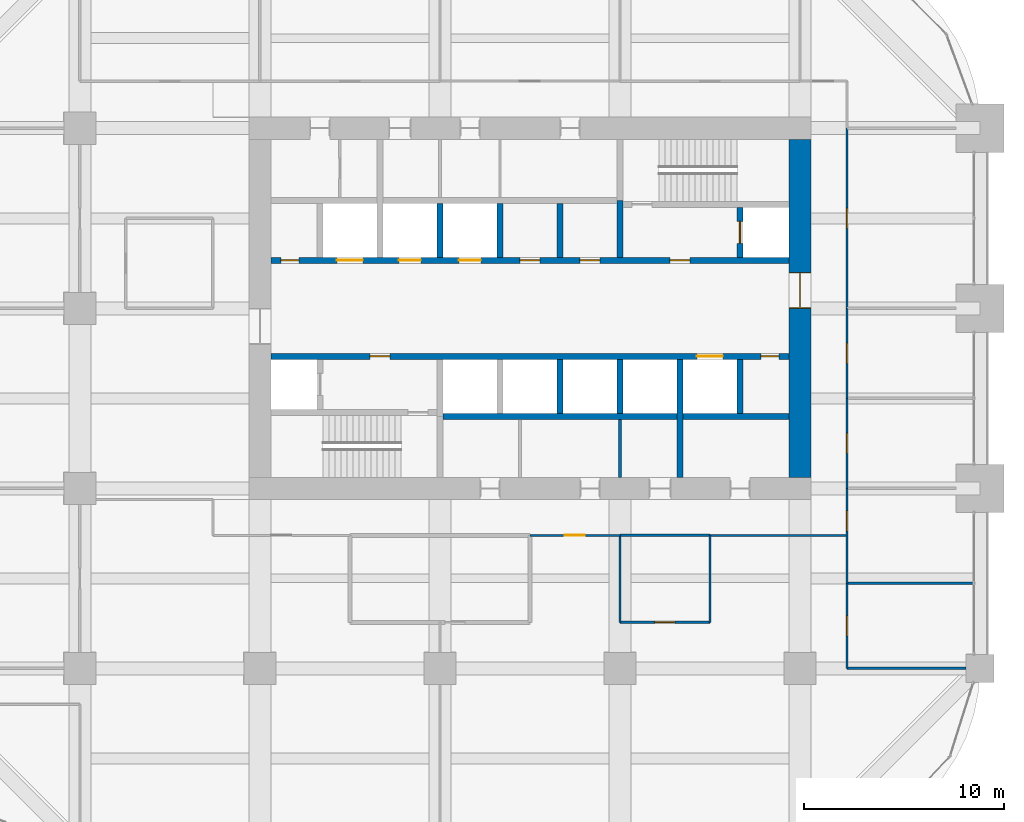
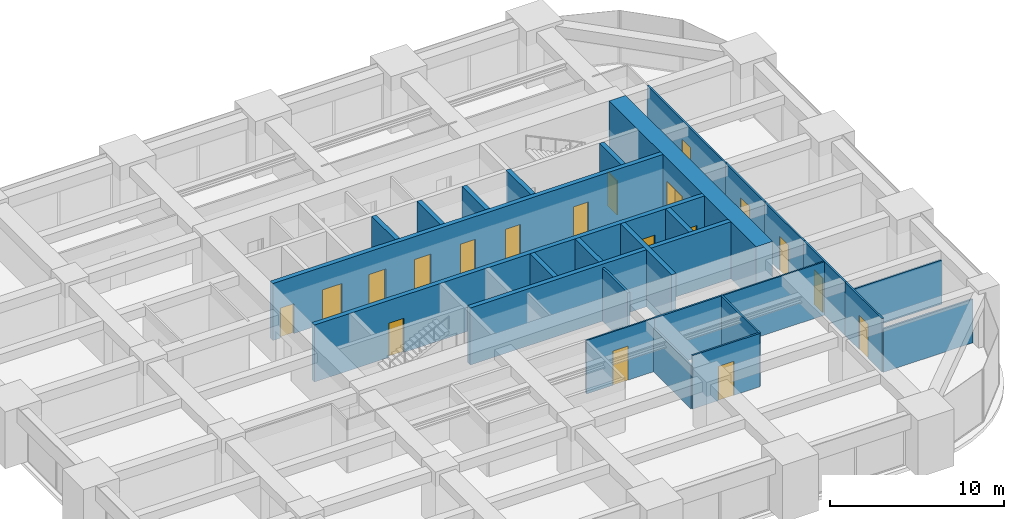
# One storey, part 30 of 32: 27 walls, 19 doors, 19 openings.
"""IFC4 building model written with IfcOpenShell, lengths in metres."""

from ifc_helpers import new_model, si_unit, direction, frame, frame_2d, origin, place, context, subcontext, project, spatial, rectangle, extrude, material, layer, layer_set, type_object, element, fill, save


model = new_model("IFC4")

# Units and contexts
model_context = context("Model", 3, precision=1e-05, world=origin(), true_north=direction((0.0, 1.0)))
body_context = subcontext(model_context, "Body", "Model", "MODEL_VIEW")
ifc_project = project(units=[si_unit("LENGTHUNIT", "METRE"), si_unit("AREAUNIT", "SQUARE_METRE"), si_unit("VOLUMEUNIT", "CUBIC_METRE"), si_unit("PLANEANGLEUNIT", "RADIAN"), si_unit("MASSUNIT", "GRAM", prefix="KILO")], contexts=[model_context])

# Site, building, storey
site_placement = place(None, origin())
site = spatial("IfcSite", under=ifc_project, at=site_placement, CompositionType="ELEMENT")
building_placement = place(site_placement, origin())
building = spatial("IfcBuilding", under=site, at=building_placement, Name="Zorevar Civic Tower", CompositionType="ELEMENT")
storey_placement = place(building_placement, frame((0.0, 0.0, 190.199951171875)))
storey = spatial("IfcBuildingStorey", under=building, at=storey_placement, Name="L46", CompositionType="ELEMENT", Elevation=190.199951171875)

# Wall, opening, door
ifc_material_1 = material(Name="Concrete C50/60", Category="concrete")
ifc_layer_1 = layer(ifc_material_1, 1.10009765625)
ifc_layer_set_1 = layer_set([ifc_layer_1], Name="Core wall 1100")
wall_type_1 = type_object("IfcWallType", Name="Core wall 1100", PredefinedType="SHEAR", material=ifc_layer_set_1)
wall_1_placement = place(storey_placement, frame((45.0, 18.550048828125, 0.0), z_axis=(0.0, 0.0, 1.0), x_axis=(0.0, 1.0, 0.0)))
wall_1 = element("IfcWall", 1, at=wall_1_placement, inside=storey, type_object=wall_type_1, Name="Core wall E L46", PredefinedType="SHEAR", context=body_context, shape_type="SweptSolid", body=[
    extrude(rectangle(XDim=16.89990234375, YDim=1.10009765625, at=frame_2d((8.449951171875, 0.0))), origin(), (0.0, 0.0, 1.0), 4.0),
])
opening_1_placement = place(wall_1_placement, frame((8.449951171875, 0.0, 0.0)))
opening_1 = element("IfcOpeningElement", 2, at=opening_1_placement, cuts=wall_1, Name="Opening L46.02", PredefinedType="OPENING", context=body_context, shape_type="SweptSolid", body=[
    extrude(rectangle(XDim=1.800048828125, YDim=2.39990234375, at=frame_2d((0.89990234375, 1.199951171875))), frame((0.0, 0.56005859375, 0.0), z_axis=(0.0, -1.0, 0.0), x_axis=(1.0, 0.0, 0.0)), (0.0, 0.0, 1.0), 1.1201171875),
])
ifc_material_2 = material(Name="Steel door set", Category="steel")
door_type_1 = type_object("IfcDoorType", Name="Fire door FD2 1800x2400", OperationType="DOUBLE_DOOR_DOUBLE_SWING", PredefinedType="DOOR", material=ifc_material_2)
door_1_placement = place(opening_1_placement, origin())
door_1 = element("IfcDoor", 3, at=door_1_placement, inside=storey, type_object=door_type_1, Name="Door L46 01", OperationType="DOUBLE_DOOR_DOUBLE_SWING", OverallHeight=2.39990234375, OverallWidth=1.800048828125, PredefinedType="DOOR", context=body_context, shape_type="SweptSolid", body=[
    extrude(rectangle(XDim=1.800048828125, YDim=2.39990234375, at=frame_2d((0.89990234375, 1.199951171875))), frame((0.0, 0.030029296875, 0.0), z_axis=(0.0, -1.0, 0.0), x_axis=(1.0, 0.0, 0.0)), (0.0, 0.0, 1.0), 0.06005859375),
    extrude(rectangle(XDim=0.04, YDim=2.39990234375, at=frame_2d((0.02001953125, 1.199951171875))), frame((0.0, 0.5498046875, 0.0), z_axis=(0.0, -1.0, 0.0), x_axis=(1.0, 0.0, 0.0)), (0.0, 0.0, 1.0), 1.099609375),
    extrude(rectangle(XDim=0.04, YDim=2.39990234375, at=frame_2d((1.780029296875, 1.199951171875))), frame((0.0, 0.5498046875, 0.0), z_axis=(0.0, -1.0, 0.0), x_axis=(1.0, 0.0, 0.0)), (0.0, 0.0, 1.0), 1.099609375),
    extrude(rectangle(XDim=1.800048828125, YDim=0.04, at=frame_2d((0.89990234375, 2.3798828125))), frame((0.0, 0.5498046875, 0.0), z_axis=(0.0, -1.0, 0.0), x_axis=(1.0, 0.0, 0.0)), (0.0, 0.0, 1.0), 1.099609375),
])
fill(opening_1, door_1)

ifc_material_3 = material(Name="Laminated glass in black aluminium frame", Category="aluminium")
ifc_layer_2 = layer(ifc_material_3, 0.10009765625)
ifc_layer_set_2 = layer_set([ifc_layer_2], Name="Glazed partition 100")
wall_type_2 = type_object("IfcWallType", Name="Glazed partition 100", PredefinedType="PARTITIONING", material=ifc_layer_set_2)
wall_2_placement = place(storey_placement, frame((31.5, 15.64990234375, 0.0), z_axis=(0.0, 0.0, 1.0), x_axis=(1.0, 0.0, 0.0)))
wall_2 = element("IfcWall", 4, at=wall_2_placement, inside=storey, type_object=wall_type_2, Name="Glazed partition 100 L46", PredefinedType="PARTITIONING", context=body_context, shape_type="SweptSolid", body=[
    extrude(rectangle(XDim=4.5, YDim=0.10009765625, at=frame_2d((2.25, 0.0))), origin(), (0.0, 0.0, 1.0), 3.75),
])
opening_2_placement = place(wall_2_placement, frame((1.75, 0.0, 0.0)))
opening_2 = element("IfcOpeningElement", 5, at=opening_2_placement, cuts=wall_2, Name="Opening L46.21", PredefinedType="OPENING", context=body_context, shape_type="SweptSolid", body=[
    extrude(rectangle(XDim=1.0, YDim=2.39990234375, at=frame_2d((0.5, 1.199951171875))), frame((0.0, 0.06005859375, 0.0), z_axis=(0.0, -1.0, 0.0), x_axis=(1.0, 0.0, 0.0)), (0.0, 0.0, 1.0), 0.1201171875),
])
ifc_material_4 = material(Name="Timber door set", Category="wood")
door_type_2 = type_object("IfcDoorType", Name="Glazed door GD1 1000x2400", OperationType="SINGLE_SWING_LEFT", PredefinedType="DOOR", material=ifc_material_4)
door_2_placement = place(opening_2_placement, origin())
door_2 = element("IfcDoor", 6, at=door_2_placement, inside=storey, type_object=door_type_2, Name="Door L46 D1", OperationType="SINGLE_SWING_RIGHT", OverallHeight=2.39990234375, OverallWidth=1.0, PredefinedType="DOOR", context=body_context, shape_type="SweptSolid", body=[
    extrude(rectangle(XDim=1.0, YDim=2.39990234375, at=frame_2d((0.5, 1.199951171875))), frame((0.0, 0.02001953125, 0.0), z_axis=(0.0, -1.0, 0.0), x_axis=(1.0, 0.0, 0.0)), (0.0, 0.0, 1.0), 0.0400390625),
])
fill(opening_2, door_2)

# Wall
wall_3_placement = place(storey_placement, frame((40.5, 15.64990234375, 0.0), z_axis=(0.0, 0.0, 1.0), x_axis=(1.0, 0.0, 0.0)))
element("IfcWall", 7, at=wall_3_placement, inside=storey, type_object=wall_type_2, Name="Glazed partition 100 L46", PredefinedType="PARTITIONING", context=body_context, shape_type="SweptSolid", body=[
    extrude(rectangle(XDim=6.85009765625, YDim=0.10009765625, at=frame_2d((3.425048828125, 0.0))), origin(), (0.0, 0.0, 1.0), 3.75),
])

# Wall, opening, door
ifc_material_5 = material(Name="Concrete C40/50", Category="concrete")
ifc_layer_3 = layer(ifc_material_5, 0.300048828125)
ifc_layer_set_3 = layer_set([ifc_layer_3], Name="Inner core wall 300")
wall_type_3 = type_object("IfcWallType", Name="Inner core wall 300", PredefinedType="SHEAR", material=ifc_layer_set_3)
wall_4_placement = place(storey_placement, frame((42.0, 29.550048828125, 0.0), z_axis=(0.0, 0.0, 1.0), x_axis=(0.0, 1.0, 0.0)))
wall_4 = element("IfcWall", 8, at=wall_4_placement, inside=storey, type_object=wall_type_3, Name="Inner core wall N02 L46", PredefinedType="SHEAR", context=body_context, shape_type="SweptSolid", body=[
    extrude(rectangle(XDim=2.5, YDim=0.300048828125, at=frame_2d((1.25, 0.0))), origin(), (0.0, 0.0, 1.0), 4.0),
])
opening_3_placement = place(wall_4_placement, frame((0.699951171875, 0.0, 0.0)))
opening_3 = element("IfcOpeningElement", 9, at=opening_3_placement, cuts=wall_4, Name="Opening L46.FL2", PredefinedType="OPENING", context=body_context, shape_type="SweptSolid", body=[
    extrude(rectangle(XDim=1.10009765625, YDim=2.39990234375, at=frame_2d((0.550048828125, 1.199951171875))), frame((0.0, 0.159912109375, 0.0), z_axis=(0.0, -1.0, 0.0), x_axis=(1.0, 0.0, 0.0)), (0.0, 0.0, 1.0), 0.320068359375),
])
ifc_material_6 = material(Name="Steel door set", Category="steel")
door_type_3 = type_object("IfcDoorType", Name="Firefighting lift landing door LD3 1100x2400", OperationType="DOUBLE_DOOR_SLIDING", PredefinedType="DOOR", material=ifc_material_6)
door_3_placement = place(opening_3_placement, origin())
door_3 = element("IfcDoor", 10, at=door_3_placement, inside=storey, type_object=door_type_3, Name="Landing door FL2 L46", OperationType="DOUBLE_DOOR_SLIDING", OverallHeight=2.39990234375, OverallWidth=1.10009765625, PredefinedType="DOOR", context=body_context, shape_type="SweptSolid", body=[
    extrude(rectangle(XDim=1.10009765625, YDim=2.39990234375, at=frame_2d((0.550048828125, 1.199951171875))), frame((0.0, 0.030029296875, 0.0), z_axis=(0.0, -1.0, 0.0), x_axis=(1.0, 0.0, 0.0)), (0.0, 0.0, 1.0), 0.06005859375),
])
fill(opening_3, door_3)

# Wall, openings, doors
wall_5_placement = place(storey_placement, frame((18.550048828125, 24.60009765625, 0.0), z_axis=(0.0, 0.0, 1.0), x_axis=(1.0, 0.0, 0.0)))
wall_5 = element("IfcWall", 11, at=wall_5_placement, inside=storey, type_object=wall_type_3, Name="Inner core wall S03 L46", PredefinedType="SHEAR", context=body_context, shape_type="SweptSolid", body=[
    extrude(rectangle(XDim=25.89990234375, YDim=0.300048828125, at=frame_2d((12.949951171875, 0.0))), origin(), (0.0, 0.0, 1.0), 4.0),
])
opening_4_placement = place(wall_5_placement, frame((4.949951171875, 0.0, 0.0)))
opening_4 = element("IfcOpeningElement", 12, at=opening_4_placement, cuts=wall_5, Name="Opening L46.13", PredefinedType="OPENING", context=body_context, shape_type="SweptSolid", body=[
    extrude(rectangle(XDim=1.0, YDim=2.39990234375, at=frame_2d((0.5, 1.199951171875))), frame((0.0, 0.159912109375, 0.0), z_axis=(0.0, -1.0, 0.0), x_axis=(1.0, 0.0, 0.0)), (0.0, 0.0, 1.0), 0.320068359375),
])
opening_5_placement = place(wall_5_placement, frame((24.5, 0.0, 0.0)))
opening_5 = element("IfcOpeningElement", 13, at=opening_5_placement, cuts=wall_5, Name="Opening L46.15", PredefinedType="OPENING", context=body_context, shape_type="SweptSolid", body=[
    extrude(rectangle(XDim=0.89990234375, YDim=2.10009765625, at=frame_2d((0.449951171875, 1.050048828125))), frame((0.0, 0.159912109375, 0.0), z_axis=(0.0, -1.0, 0.0), x_axis=(1.0, 0.0, 0.0)), (0.0, 0.0, 1.0), 0.320068359375),
])
opening_6_placement = place(wall_5_placement, frame((21.300048828125, 0.0, 0.0)))
opening_6 = element("IfcOpeningElement", 14, at=opening_6_placement, cuts=wall_5, Name="Opening L46.SL1", PredefinedType="OPENING", context=body_context, shape_type="SweptSolid", body=[
    extrude(rectangle(XDim=1.300048828125, YDim=2.39990234375, at=frame_2d((0.64990234375, 1.199951171875))), frame((0.0, 0.159912109375, 0.0), z_axis=(0.0, -1.0, 0.0), x_axis=(1.0, 0.0, 0.0)), (0.0, 0.0, 1.0), 0.320068359375),
])
ifc_material_7 = material(Name="Steel door set", Category="steel")
door_type_4 = type_object("IfcDoorType", Name="Fire door FD1 1000x2400", OperationType="SINGLE_SWING_LEFT", PredefinedType="DOOR", material=ifc_material_7)
door_4_placement = place(opening_4_placement, origin())
door_4 = element("IfcDoor", 15, at=door_4_placement, inside=storey, type_object=door_type_4, Name="Door L46 12", OperationType="SINGLE_SWING_RIGHT", OverallHeight=2.39990234375, OverallWidth=1.0, PredefinedType="DOOR", context=body_context, shape_type="SweptSolid", body=[
    extrude(rectangle(XDim=1.0, YDim=2.39990234375, at=frame_2d((0.5, 1.199951171875))), frame((0.0, 0.030029296875, 0.0), z_axis=(0.0, -1.0, 0.0), x_axis=(1.0, 0.0, 0.0)), (0.0, 0.0, 1.0), 0.06005859375),
])
fill(opening_4, door_4)
ifc_material_8 = material(Name="Steel door set", Category="steel")
door_type_5 = type_object("IfcDoorType", Name="Landing door LD2 1300x2400", OperationType="DOUBLE_DOOR_SLIDING", PredefinedType="DOOR", material=ifc_material_8)
door_5_placement = place(opening_6_placement, origin())
door_5 = element("IfcDoor", 16, at=door_5_placement, inside=storey, type_object=door_type_5, Name="Landing door SL1 L46", OperationType="DOUBLE_DOOR_SLIDING", OverallHeight=2.39990234375, OverallWidth=1.300048828125, PredefinedType="DOOR", context=body_context, shape_type="SweptSolid", body=[
    extrude(rectangle(XDim=1.300048828125, YDim=2.39990234375, at=frame_2d((0.64990234375, 1.199951171875))), frame((0.0, 0.02001953125, 0.0), z_axis=(0.0, -1.0, 0.0), x_axis=(1.0, 0.0, 0.0)), (0.0, 0.0, 1.0), 0.0400390625),
])
fill(opening_6, door_5)
ifc_material_9 = material(Name="Steel door set", Category="steel")
door_type_6 = type_object("IfcDoorType", Name="Riser door RD1 900x2100", OperationType="SINGLE_SWING_LEFT", PredefinedType="DOOR", material=ifc_material_9)
door_6_placement = place(opening_5_placement, origin())
door_6 = element("IfcDoor", 17, at=door_6_placement, inside=storey, type_object=door_type_6, Name="Door L46 14", OperationType="SINGLE_SWING_RIGHT", OverallHeight=2.10009765625, OverallWidth=0.89990234375, PredefinedType="DOOR", context=body_context, shape_type="SweptSolid", body=[
    extrude(rectangle(XDim=0.89990234375, YDim=2.10009765625, at=frame_2d((0.449951171875, 1.050048828125))), frame((0.0, 0.030029296875, 0.0), z_axis=(0.0, -1.0, 0.0), x_axis=(1.0, 0.0, 0.0)), (0.0, 0.0, 1.0), 0.06005859375),
])
fill(opening_5, door_6)

wall_6_placement = place(storey_placement, frame((18.550048828125, 29.39990234375, 0.0), z_axis=(0.0, 0.0, 1.0), x_axis=(1.0, 0.0, 0.0)))
wall_6 = element("IfcWall", 18, at=wall_6_placement, inside=storey, type_object=wall_type_3, Name="Inner core wall N03 L46", PredefinedType="SHEAR", context=body_context, shape_type="SweptSolid", body=[
    extrude(rectangle(XDim=25.89990234375, YDim=0.300048828125, at=frame_2d((12.949951171875, 0.0))), origin(), (0.0, 0.0, 1.0), 4.0),
])
opening_7_placement = place(wall_6_placement, frame((19.949951171875, 0.0, 0.0)))
opening_7 = element("IfcOpeningElement", 19, at=opening_7_placement, cuts=wall_6, Name="Opening L46.14", PredefinedType="OPENING", context=body_context, shape_type="SweptSolid", body=[
    extrude(rectangle(XDim=1.0, YDim=2.39990234375, at=frame_2d((0.5, 1.199951171875))), frame((0.0, 0.159912109375, 0.0), z_axis=(0.0, -1.0, 0.0), x_axis=(1.0, 0.0, 0.0)), (0.0, 0.0, 1.0), 0.320068359375),
])
opening_8_placement = place(wall_6_placement, frame((0.5, 0.0, 0.0)))
opening_8 = element("IfcOpeningElement", 20, at=opening_8_placement, cuts=wall_6, Name="Opening L46.16", PredefinedType="OPENING", context=body_context, shape_type="SweptSolid", body=[
    extrude(rectangle(XDim=0.89990234375, YDim=2.10009765625, at=frame_2d((0.449951171875, 1.050048828125))), frame((0.0, 0.159912109375, 0.0), z_axis=(0.0, -1.0, 0.0), x_axis=(1.0, 0.0, 0.0)), (0.0, 0.0, 1.0), 0.320068359375),
])
opening_9_placement = place(wall_6_placement, frame((15.449951171875, 0.0, 0.0)))
opening_9 = element("IfcOpeningElement", 21, at=opening_9_placement, cuts=wall_6, Name="Opening L46.36", PredefinedType="OPENING", context=body_context, shape_type="SweptSolid", body=[
    extrude(rectangle(XDim=1.0, YDim=2.39990234375, at=frame_2d((0.5, 1.199951171875))), frame((0.0, 0.159912109375, 0.0), z_axis=(0.0, -1.0, 0.0), x_axis=(1.0, 0.0, 0.0)), (0.0, 0.0, 1.0), 0.320068359375),
])
opening_10_placement = place(wall_6_placement, frame((12.449951171875, 0.0, 0.0)))
opening_10 = element("IfcOpeningElement", 22, at=opening_10_placement, cuts=wall_6, Name="Opening L46.37", PredefinedType="OPENING", context=body_context, shape_type="SweptSolid", body=[
    extrude(rectangle(XDim=1.0, YDim=2.39990234375, at=frame_2d((0.5, 1.199951171875))), frame((0.0, 0.159912109375, 0.0), z_axis=(0.0, -1.0, 0.0), x_axis=(1.0, 0.0, 0.0)), (0.0, 0.0, 1.0), 0.320068359375),
])
opening_11_placement = place(wall_6_placement, frame((9.39990234375, 0.0, 0.0)))
opening_11 = element("IfcOpeningElement", 23, at=opening_11_placement, cuts=wall_6, Name="Opening L46.LH1", PredefinedType="OPENING", context=body_context, shape_type="SweptSolid", body=[
    extrude(rectangle(XDim=1.10009765625, YDim=2.39990234375, at=frame_2d((0.550048828125, 1.199951171875))), frame((0.0, 0.159912109375, 0.0), z_axis=(0.0, -1.0, 0.0), x_axis=(1.0, 0.0, 0.0)), (0.0, 0.0, 1.0), 0.320068359375),
])
opening_12_placement = place(wall_6_placement, frame((6.39990234375, 0.0, 0.0)))
opening_12 = element("IfcOpeningElement", 24, at=opening_12_placement, cuts=wall_6, Name="Opening L46.LH2", PredefinedType="OPENING", context=body_context, shape_type="SweptSolid", body=[
    extrude(rectangle(XDim=1.10009765625, YDim=2.39990234375, at=frame_2d((0.550048828125, 1.199951171875))), frame((0.0, 0.159912109375, 0.0), z_axis=(0.0, -1.0, 0.0), x_axis=(1.0, 0.0, 0.0)), (0.0, 0.0, 1.0), 0.320068359375),
])
opening_13_placement = place(wall_6_placement, frame((3.300048828125, 0.0, 0.0)))
opening_13 = element("IfcOpeningElement", 25, at=opening_13_placement, cuts=wall_6, Name="Opening L46.SL2", PredefinedType="OPENING", context=body_context, shape_type="SweptSolid", body=[
    extrude(rectangle(XDim=1.300048828125, YDim=2.39990234375, at=frame_2d((0.64990234375, 1.199951171875))), frame((0.0, 0.159912109375, 0.0), z_axis=(0.0, -1.0, 0.0), x_axis=(1.0, 0.0, 0.0)), (0.0, 0.0, 1.0), 0.320068359375),
])
door_7_placement = place(opening_7_placement, origin())
door_7 = element("IfcDoor", 26, at=door_7_placement, inside=storey, type_object=door_type_4, Name="Door L46 13", OperationType="SINGLE_SWING_RIGHT", OverallHeight=2.39990234375, OverallWidth=1.0, PredefinedType="DOOR", context=body_context, shape_type="SweptSolid", body=[
    extrude(rectangle(XDim=1.0, YDim=2.39990234375, at=frame_2d((0.5, 1.199951171875))), frame((0.0, 0.030029296875, 0.0), z_axis=(0.0, -1.0, 0.0), x_axis=(1.0, 0.0, 0.0)), (0.0, 0.0, 1.0), 0.06005859375),
])
fill(opening_7, door_7)
door_8_placement = place(opening_9_placement, origin())
door_8 = element("IfcDoor", 27, at=door_8_placement, inside=storey, type_object=door_type_4, Name="Door L46 LM1 shaft room", OperationType="SINGLE_SWING_LEFT", OverallHeight=2.39990234375, OverallWidth=1.0, PredefinedType="DOOR", context=body_context, shape_type="SweptSolid", body=[
    extrude(rectangle(XDim=1.0, YDim=2.39990234375, at=frame_2d((0.5, 1.199951171875))), frame((0.0, 0.030029296875, 0.0), z_axis=(0.0, -1.0, 0.0), x_axis=(1.0, 0.0, 0.0)), (0.0, 0.0, 1.0), 0.06005859375),
])
fill(opening_9, door_8)
door_9_placement = place(opening_10_placement, origin())
door_9 = element("IfcDoor", 28, at=door_9_placement, inside=storey, type_object=door_type_4, Name="Door L46 LM2 shaft room", OperationType="SINGLE_SWING_LEFT", OverallHeight=2.39990234375, OverallWidth=1.0, PredefinedType="DOOR", context=body_context, shape_type="SweptSolid", body=[
    extrude(rectangle(XDim=1.0, YDim=2.39990234375, at=frame_2d((0.5, 1.199951171875))), frame((0.0, 0.030029296875, 0.0), z_axis=(0.0, -1.0, 0.0), x_axis=(1.0, 0.0, 0.0)), (0.0, 0.0, 1.0), 0.06005859375),
])
fill(opening_10, door_9)
ifc_material_10 = material(Name="Steel door set", Category="steel")
door_type_7 = type_object("IfcDoorType", Name="Landing door LD1 1100x2400", OperationType="DOUBLE_DOOR_SLIDING", PredefinedType="DOOR", material=ifc_material_10)
door_10_placement = place(opening_11_placement, origin())
door_10 = element("IfcDoor", 29, at=door_10_placement, inside=storey, type_object=door_type_7, Name="Landing door LH1 L46", OperationType="DOUBLE_DOOR_SLIDING", OverallHeight=2.39990234375, OverallWidth=1.10009765625, PredefinedType="DOOR", context=body_context, shape_type="SweptSolid", body=[
    extrude(rectangle(XDim=1.10009765625, YDim=2.39990234375, at=frame_2d((0.550048828125, 1.199951171875))), frame((0.0, 0.02001953125, 0.0), z_axis=(0.0, -1.0, 0.0), x_axis=(1.0, 0.0, 0.0)), (0.0, 0.0, 1.0), 0.0400390625),
])
fill(opening_11, door_10)
door_11_placement = place(opening_12_placement, origin())
door_11 = element("IfcDoor", 30, at=door_11_placement, inside=storey, type_object=door_type_7, Name="Landing door LH2 L46", OperationType="DOUBLE_DOOR_SLIDING", OverallHeight=2.39990234375, OverallWidth=1.10009765625, PredefinedType="DOOR", context=body_context, shape_type="SweptSolid", body=[
    extrude(rectangle(XDim=1.10009765625, YDim=2.39990234375, at=frame_2d((0.550048828125, 1.199951171875))), frame((0.0, 0.02001953125, 0.0), z_axis=(0.0, -1.0, 0.0), x_axis=(1.0, 0.0, 0.0)), (0.0, 0.0, 1.0), 0.0400390625),
])
fill(opening_12, door_11)
door_12_placement = place(opening_13_placement, origin())
door_12 = element("IfcDoor", 31, at=door_12_placement, inside=storey, type_object=door_type_5, Name="Landing door SL2 L46", OperationType="DOUBLE_DOOR_SLIDING", OverallHeight=2.39990234375, OverallWidth=1.300048828125, PredefinedType="DOOR", context=body_context, shape_type="SweptSolid", body=[
    extrude(rectangle(XDim=1.300048828125, YDim=2.39990234375, at=frame_2d((0.64990234375, 1.199951171875))), frame((0.0, 0.02001953125, 0.0), z_axis=(0.0, -1.0, 0.0), x_axis=(1.0, 0.0, 0.0)), (0.0, 0.0, 1.0), 0.0400390625),
])
fill(opening_13, door_12)
door_13_placement = place(opening_8_placement, origin())
door_13 = element("IfcDoor", 32, at=door_13_placement, inside=storey, type_object=door_type_6, Name="Door L46 15", OperationType="SINGLE_SWING_RIGHT", OverallHeight=2.10009765625, OverallWidth=0.89990234375, PredefinedType="DOOR", context=body_context, shape_type="SweptSolid", body=[
    extrude(rectangle(XDim=0.89990234375, YDim=2.10009765625, at=frame_2d((0.449951171875, 1.050048828125))), frame((0.0, 0.030029296875, 0.0), z_axis=(0.0, -1.0, 0.0), x_axis=(1.0, 0.0, 0.0)), (0.0, 0.0, 1.0), 0.06005859375),
])
fill(opening_8, door_13)

# Walls
wall_7_placement = place(storey_placement, frame((27.14990234375, 21.60009765625, 0.0), z_axis=(0.0, 0.0, 1.0), x_axis=(1.0, 0.0, 0.0)))
element("IfcWall", 33, at=wall_7_placement, inside=storey, type_object=wall_type_3, Name="Inner core wall S04 L46", PredefinedType="SHEAR", context=body_context, shape_type="SweptSolid", body=[
    extrude(rectangle(XDim=17.300048828125, YDim=0.300048828125, at=frame_2d((8.64990234375, 0.0))), origin(), (0.0, 0.0, 1.0), 4.0),
])
for number, where, z_axis, x_axis, name in (
    (34, (33.0, 29.550048828125, 0.0), (0.0, 0.0, 1.0), (0.0, 1.0, 0.0), "Inner core wall N05 L46"),
    (35, (33.0, 21.75, 0.0), (0.0, 0.0, 1.0), (0.0, 1.0, 0.0), "Inner core wall S06 L46"),
    (36, (30.0, 29.550048828125, 0.0), (0.0, 0.0, 1.0), (0.0, 1.0, 0.0), "Inner core wall N06 L46"),
    (37, (36.0, 21.75, 0.0), (0.0, 0.0, 1.0), (0.0, 1.0, 0.0), "Inner core wall S07 L46"),
    (38, (27.0, 29.550048828125, 0.0), (0.0, 0.0, 1.0), (0.0, 1.0, 0.0), "Inner core wall N07 L46"),
):
    element("IfcWall", number, at=place(storey_placement, frame(where, z_axis=z_axis, x_axis=x_axis)), inside=storey, type_object=wall_type_3, Name=name, PredefinedType="SHEAR", context=body_context, shape_type="SweptSolid", body=[
        extrude(rectangle(XDim=2.699951171875, YDim=0.300048828125, at=frame_2d((1.35009765625, 0.0))), origin(), (0.0, 0.0, 1.0), 4.0),
    ])
wall_8_placement = place(storey_placement, frame((39.0, 18.550048828125, 0.0), z_axis=(0.0, 0.0, 1.0), x_axis=(0.0, 1.0, 0.0)))
element("IfcWall", 39, at=wall_8_placement, inside=storey, type_object=wall_type_3, Name="Inner core wall S08 L46", PredefinedType="SHEAR", context=body_context, shape_type="SweptSolid", body=[
    extrude(rectangle(XDim=5.89990234375, YDim=0.300048828125, at=frame_2d((2.949951171875, 0.0))), origin(), (0.0, 0.0, 1.0), 4.0),
])
wall_9_placement = place(storey_placement, frame((42.0, 21.75, 0.0), z_axis=(0.0, 0.0, 1.0), x_axis=(0.0, 1.0, 0.0)))
element("IfcWall", 40, at=wall_9_placement, inside=storey, type_object=wall_type_3, Name="Inner core wall S09 L46", PredefinedType="SHEAR", context=body_context, shape_type="SweptSolid", body=[
    extrude(rectangle(XDim=2.699951171875, YDim=0.300048828125, at=frame_2d((1.35009765625, 0.0))), origin(), (0.0, 0.0, 1.0), 4.0),
])
wall_10_placement = place(storey_placement, frame((36.0, 29.550048828125, 0.0), z_axis=(0.0, 0.0, 1.0), x_axis=(0.0, 1.0, 0.0)))
element("IfcWall", 41, at=wall_10_placement, inside=storey, type_object=wall_type_3, Name="Inner core wall N10 L46", PredefinedType="SHEAR", context=body_context, shape_type="SweptSolid", body=[
    extrude(rectangle(XDim=2.849853515625, YDim=0.300048828125, at=frame_2d((1.4248046875, 0.0))), origin(), (0.0, 0.0, 1.0), 4.0),
])
ifc_material_11 = material(Name="Gypsum board on steel studs", Category="steel")
ifc_layer_4 = layer(ifc_material_11, 0.1201171875)
ifc_layer_set_4 = layer_set([ifc_layer_4], Name="Partition 120")
wall_type_4 = type_object("IfcWallType", Name="Partition 120", PredefinedType="PARTITIONING", material=ifc_layer_set_4)
wall_11_placement = place(storey_placement, frame((47.35009765625, 9.0, 0.0), z_axis=(0.0, 0.0, 1.0), x_axis=(1.0, 0.0, 0.0)))
element("IfcWall", 42, at=wall_11_placement, inside=storey, type_object=wall_type_4, Name="Partition 120 L46", PredefinedType="PARTITIONING", context=body_context, shape_type="SweptSolid", body=[
    extrude(rectangle(XDim=5.949951171875, YDim=0.1201171875, at=frame_2d((2.97509765625, 0.0))), origin(), (0.0, 0.0, 1.0), 3.050048828125),
])

# Wall, opening, door
wall_12_placement = place(storey_placement, frame((36.0, 11.300048828125, 0.0), z_axis=(0.0, 0.0, 1.0), x_axis=(1.0, 0.0, 0.0)))
wall_12 = element("IfcWall", 43, at=wall_12_placement, inside=storey, type_object=wall_type_4, Name="Partition 120 L46", PredefinedType="PARTITIONING", context=body_context, shape_type="SweptSolid", body=[
    extrude(rectangle(XDim=4.5, YDim=0.1201171875, at=frame_2d((2.25, 0.0))), origin(), (0.0, 0.0, 1.0), 3.75),
])
opening_14_placement = place(wall_12_placement, frame((1.75, 0.0, 0.0)))
opening_14 = element("IfcOpeningElement", 44, at=opening_14_placement, cuts=wall_12, Name="Opening L46.19", PredefinedType="OPENING", context=body_context, shape_type="SweptSolid", body=[
    extrude(rectangle(XDim=1.0, YDim=2.39990234375, at=frame_2d((0.5, 1.199951171875))), frame((0.0, 0.070068359375, 0.0), z_axis=(0.0, -1.0, 0.0), x_axis=(1.0, 0.0, 0.0)), (0.0, 0.0, 1.0), 0.14013671875),
])
ifc_material_12 = material(Name="Timber door set", Category="wood")
door_type_8 = type_object("IfcDoorType", Name="Door D1 1000x2400", OperationType="SINGLE_SWING_LEFT", PredefinedType="DOOR", material=ifc_material_12)
door_14_placement = place(opening_14_placement, origin())
door_14 = element("IfcDoor", 45, at=door_14_placement, inside=storey, type_object=door_type_8, Name="Door L46 D1", OperationType="SINGLE_SWING_RIGHT", OverallHeight=2.39990234375, OverallWidth=1.0, PredefinedType="DOOR", context=body_context, shape_type="SweptSolid", body=[
    extrude(rectangle(XDim=1.0, YDim=2.39990234375, at=frame_2d((0.5, 1.199951171875))), frame((0.0, 0.02490234375, 0.0), z_axis=(0.0, -1.0, 0.0), x_axis=(1.0, 0.0, 0.0)), (0.0, 0.0, 1.0), 0.050048828125),
])
fill(opening_14, door_14)

# Walls
wall_13_placement = place(storey_placement, frame((47.35009765625, 13.25, 0.0), z_axis=(0.0, 0.0, 1.0), x_axis=(1.0, 0.0, 0.0)))
element("IfcWall", 46, at=wall_13_placement, inside=storey, type_object=wall_type_4, Name="Partition 120 L46", PredefinedType="PARTITIONING", context=body_context, shape_type="SweptSolid", body=[
    extrude(rectangle(XDim=6.33984375, YDim=0.1201171875, at=frame_2d((3.169921875, 0.0))), origin(), (0.0, 0.0, 1.0), 3.10009765625),
])
wall_14_placement = place(storey_placement, frame((36.0, 15.64990234375, 0.0), z_axis=(0.0, 0.0, 1.0), x_axis=(1.0, 0.0, 0.0)))
element("IfcWall", 47, at=wall_14_placement, inside=storey, type_object=wall_type_4, Name="Partition 120 L46", PredefinedType="PARTITIONING", context=body_context, shape_type="SweptSolid", body=[
    extrude(rectangle(XDim=4.5, YDim=0.1201171875, at=frame_2d((2.25, 0.0))), origin(), (0.0, 0.0, 1.0), 3.75),
])
wall_15_placement = place(storey_placement, frame((36.0, 11.300048828125, 0.0), z_axis=(0.0, 0.0, 1.0), x_axis=(0.0, 1.0, 0.0)))
element("IfcWall", 48, at=wall_15_placement, inside=storey, type_object=wall_type_4, Name="Partition 120 L46", PredefinedType="PARTITIONING", context=body_context, shape_type="SweptSolid", body=[
    extrude(rectangle(XDim=4.349853515625, YDim=0.1201171875, at=frame_2d((2.1748046875, 0.0))), origin(), (0.0, 0.0, 1.0), 3.050048828125),
])
wall_16_placement = place(storey_placement, frame((40.5, 11.300048828125, 0.0), z_axis=(0.0, 0.0, 1.0), x_axis=(0.0, 1.0, 0.0)))
element("IfcWall", 49, at=wall_16_placement, inside=storey, type_object=wall_type_4, Name="Partition 120 L46", PredefinedType="PARTITIONING", context=body_context, shape_type="SweptSolid", body=[
    extrude(rectangle(XDim=4.349853515625, YDim=0.1201171875, at=frame_2d((2.1748046875, 0.0))), origin(), (0.0, 0.0, 1.0), 3.75),
])

# Wall, opening, door
wall_17_placement = place(storey_placement, frame((47.35009765625, 9.0, 0.0), z_axis=(0.0, 0.0, 1.0), x_axis=(0.0, 1.0, 0.0)))
wall_17 = element("IfcWall", 50, at=wall_17_placement, inside=storey, type_object=wall_type_4, Name="Partition 120 L46", PredefinedType="PARTITIONING", context=body_context, shape_type="SweptSolid", body=[
    extrude(rectangle(XDim=4.25, YDim=0.1201171875, at=frame_2d((2.125, 0.0))), origin(), (0.0, 0.0, 1.0), 3.75),
])
opening_15_placement = place(wall_17_placement, frame((1.625, 0.0, 0.0)))
opening_15 = element("IfcOpeningElement", 51, at=opening_15_placement, cuts=wall_17, Name="Opening L46.30", PredefinedType="OPENING", context=body_context, shape_type="SweptSolid", body=[
    extrude(rectangle(XDim=1.0, YDim=2.39990234375, at=frame_2d((0.5, 1.199951171875))), frame((0.0, 0.070068359375, 0.0), z_axis=(0.0, -1.0, 0.0), x_axis=(1.0, 0.0, 0.0)), (0.0, 0.0, 1.0), 0.14013671875),
])
door_15_placement = place(opening_15_placement, origin())
door_15 = element("IfcDoor", 52, at=door_15_placement, inside=storey, type_object=door_type_8, Name="Door L46 D1", OperationType="SINGLE_SWING_LEFT", OverallHeight=2.39990234375, OverallWidth=1.0, PredefinedType="DOOR", context=body_context, shape_type="SweptSolid", body=[
    extrude(rectangle(XDim=1.0, YDim=2.39990234375, at=frame_2d((0.5, 1.199951171875))), frame((0.0, 0.02490234375, 0.0), z_axis=(0.0, -1.0, 0.0), x_axis=(1.0, 0.0, 0.0)), (0.0, 0.0, 1.0), 0.050048828125),
])
fill(opening_15, door_15)

wall_18_placement = place(storey_placement, frame((47.35009765625, 13.25, 0.0), z_axis=(0.0, 0.0, 1.0), x_axis=(0.0, 1.0, 0.0)))
wall_18 = element("IfcWall", 53, at=wall_18_placement, inside=storey, type_object=wall_type_4, Name="Partition 120 L46", PredefinedType="PARTITIONING", context=body_context, shape_type="SweptSolid", body=[
    extrude(rectangle(XDim=4.75, YDim=0.1201171875, at=frame_2d((2.375, 0.0))), origin(), (0.0, 0.0, 1.0), 3.75),
])
opening_16_placement = place(wall_18_placement, frame((2.625, 0.0, 0.0)))
opening_16 = element("IfcOpeningElement", 54, at=opening_16_placement, cuts=wall_18, Name="Opening L46.31", PredefinedType="OPENING", context=body_context, shape_type="SweptSolid", body=[
    extrude(rectangle(XDim=1.0, YDim=2.39990234375, at=frame_2d((0.5, 1.199951171875))), frame((0.0, 0.070068359375, 0.0), z_axis=(0.0, -1.0, 0.0), x_axis=(1.0, 0.0, 0.0)), (0.0, 0.0, 1.0), 0.14013671875),
])
door_16_placement = place(opening_16_placement, origin())
door_16 = element("IfcDoor", 55, at=door_16_placement, inside=storey, type_object=door_type_8, Name="Door L46 D1", OperationType="SINGLE_SWING_RIGHT", OverallHeight=2.39990234375, OverallWidth=1.0, PredefinedType="DOOR", context=body_context, shape_type="SweptSolid", body=[
    extrude(rectangle(XDim=1.0, YDim=2.39990234375, at=frame_2d((0.5, 1.199951171875))), frame((0.0, 0.02490234375, 0.0), z_axis=(0.0, -1.0, 0.0), x_axis=(1.0, 0.0, 0.0)), (0.0, 0.0, 1.0), 0.050048828125),
])
fill(opening_16, door_16)

wall_19_placement = place(storey_placement, frame((47.35009765625, 18.0, 0.0), z_axis=(0.0, 0.0, 1.0), x_axis=(0.0, 1.0, 0.0)))
wall_19 = element("IfcWall", 56, at=wall_19_placement, inside=storey, type_object=wall_type_4, Name="Partition 120 L46", PredefinedType="PARTITIONING", context=body_context, shape_type="SweptSolid", body=[
    extrude(rectangle(XDim=4.5, YDim=0.1201171875, at=frame_2d((2.25, 0.0))), origin(), (0.0, 0.0, 1.0), 3.75),
])
opening_17_placement = place(wall_19_placement, frame((1.75, 0.0, 0.0)))
opening_17 = element("IfcOpeningElement", 57, at=opening_17_placement, cuts=wall_19, Name="Opening L46.32", PredefinedType="OPENING", context=body_context, shape_type="SweptSolid", body=[
    extrude(rectangle(XDim=1.0, YDim=2.39990234375, at=frame_2d((0.5, 1.199951171875))), frame((0.0, 0.070068359375, 0.0), z_axis=(0.0, -1.0, 0.0), x_axis=(1.0, 0.0, 0.0)), (0.0, 0.0, 1.0), 0.14013671875),
])
door_17_placement = place(opening_17_placement, origin())
door_17 = element("IfcDoor", 58, at=door_17_placement, inside=storey, type_object=door_type_8, Name="Door L46 D1", OperationType="SINGLE_SWING_RIGHT", OverallHeight=2.39990234375, OverallWidth=1.0, PredefinedType="DOOR", context=body_context, shape_type="SweptSolid", body=[
    extrude(rectangle(XDim=1.0, YDim=2.39990234375, at=frame_2d((0.5, 1.199951171875))), frame((0.0, 0.02490234375, 0.0), z_axis=(0.0, -1.0, 0.0), x_axis=(1.0, 0.0, 0.0)), (0.0, 0.0, 1.0), 0.050048828125),
])
fill(opening_17, door_17)

wall_20_placement = place(storey_placement, frame((47.35009765625, 22.5, 0.0), z_axis=(0.0, 0.0, 1.0), x_axis=(0.0, 1.0, 0.0)))
wall_20 = element("IfcWall", 59, at=wall_20_placement, inside=storey, type_object=wall_type_4, Name="Partition 120 L46", PredefinedType="PARTITIONING", context=body_context, shape_type="SweptSolid", body=[
    extrude(rectangle(XDim=4.5, YDim=0.1201171875, at=frame_2d((2.25, 0.0))), origin(), (0.0, 0.0, 1.0), 3.75),
])
opening_18_placement = place(wall_20_placement, frame((1.75, 0.0, 0.0)))
opening_18 = element("IfcOpeningElement", 60, at=opening_18_placement, cuts=wall_20, Name="Opening L46.33", PredefinedType="OPENING", context=body_context, shape_type="SweptSolid", body=[
    extrude(rectangle(XDim=1.0, YDim=2.39990234375, at=frame_2d((0.5, 1.199951171875))), frame((0.0, 0.070068359375, 0.0), z_axis=(0.0, -1.0, 0.0), x_axis=(1.0, 0.0, 0.0)), (0.0, 0.0, 1.0), 0.14013671875),
])
door_18_placement = place(opening_18_placement, origin())
door_18 = element("IfcDoor", 61, at=door_18_placement, inside=storey, type_object=door_type_8, Name="Door L46 D1", OperationType="SINGLE_SWING_LEFT", OverallHeight=2.39990234375, OverallWidth=1.0, PredefinedType="DOOR", context=body_context, shape_type="SweptSolid", body=[
    extrude(rectangle(XDim=1.0, YDim=2.39990234375, at=frame_2d((0.5, 1.199951171875))), frame((0.0, 0.02490234375, 0.0), z_axis=(0.0, -1.0, 0.0), x_axis=(1.0, 0.0, 0.0)), (0.0, 0.0, 1.0), 0.050048828125),
])
fill(opening_18, door_18)

wall_21_placement = place(storey_placement, frame((47.35009765625, 27.0, 0.0), z_axis=(0.0, 0.0, 1.0), x_axis=(0.0, 1.0, 0.0)))
wall_21 = element("IfcWall", 62, at=wall_21_placement, inside=storey, type_object=wall_type_4, Name="Partition 120 L46", PredefinedType="PARTITIONING", context=body_context, shape_type="SweptSolid", body=[
    extrude(rectangle(XDim=9.0, YDim=0.1201171875, at=frame_2d((4.5, 0.0))), origin(), (0.0, 0.0, 1.0), 3.75),
])
opening_19_placement = place(wall_21_placement, frame((4.0, 0.0, 0.0)))
opening_19 = element("IfcOpeningElement", 63, at=opening_19_placement, cuts=wall_21, Name="Opening L46.34", PredefinedType="OPENING", context=body_context, shape_type="SweptSolid", body=[
    extrude(rectangle(XDim=1.0, YDim=2.39990234375, at=frame_2d((0.5, 1.199951171875))), frame((0.0, 0.070068359375, 0.0), z_axis=(0.0, -1.0, 0.0), x_axis=(1.0, 0.0, 0.0)), (0.0, 0.0, 1.0), 0.14013671875),
])
door_19_placement = place(opening_19_placement, origin())
door_19 = element("IfcDoor", 64, at=door_19_placement, inside=storey, type_object=door_type_8, Name="Door L46 D1", OperationType="SINGLE_SWING_RIGHT", OverallHeight=2.39990234375, OverallWidth=1.0, PredefinedType="DOOR", context=body_context, shape_type="SweptSolid", body=[
    extrude(rectangle(XDim=1.0, YDim=2.39990234375, at=frame_2d((0.5, 1.199951171875))), frame((0.0, 0.02490234375, 0.0), z_axis=(0.0, -1.0, 0.0), x_axis=(1.0, 0.0, 0.0)), (0.0, 0.0, 1.0), 0.050048828125),
])
fill(opening_19, door_19)

# Wall
ifc_material_13 = material(Name="Gypsum board on steel studs, moisture resistant", Category="steel")
ifc_layer_5 = layer(ifc_material_13, 0.14990234375)
ifc_layer_set_5 = layer_set([ifc_layer_5], Name="WC partition 150")
wall_type_5 = type_object("IfcWallType", Name="WC partition 150", PredefinedType="PARTITIONING", material=ifc_layer_set_5)
wall_22_placement = place(storey_placement, frame((36.0, 18.550048828125, 0.0), z_axis=(0.0, 0.0, 1.0), x_axis=(0.0, 1.0, 0.0)))
element("IfcWall", 65, at=wall_22_placement, inside=storey, type_object=wall_type_5, Name="WC partition L46", PredefinedType="PARTITIONING", context=body_context, shape_type="SweptSolid", body=[
    extrude(rectangle(XDim=2.89990234375, YDim=0.14990234375, at=frame_2d((1.449951171875, 0.0))), origin(), (0.0, 0.0, 1.0), 3.75),
])

save(model, "model.ifc")
